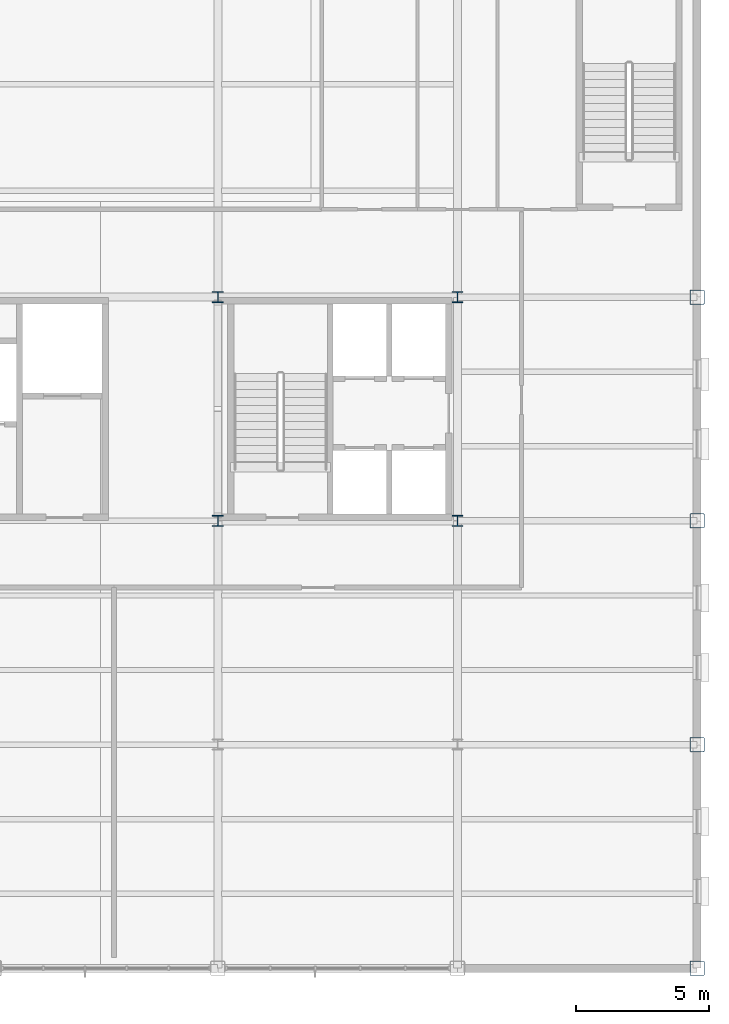
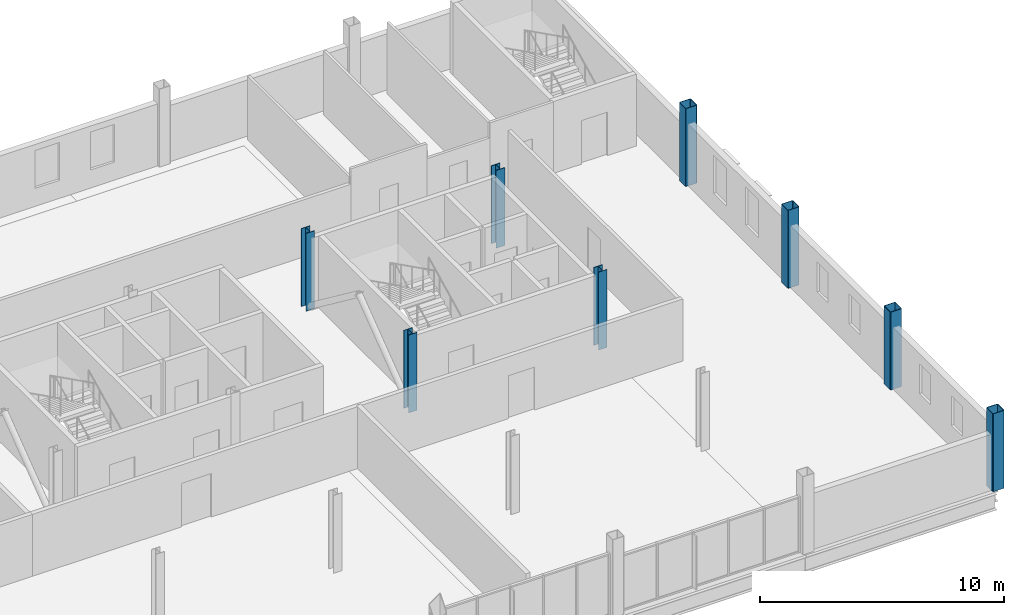
# One storey, part 2 of 17: 8 columns.
"""IFC4 building model written with IfcOpenShell, lengths in metres."""

from ifc_helpers import new_model, si_unit, direction, frame, origin, origin_2d, place, context, subcontext, project, spatial, hollow_rectangle, i_section, extrude, material, material_profile, profile_set, type_object, element, save


model = new_model("IFC4")

# Units and contexts
model_context = context("Model", 3, precision=1e-05, world=origin(), true_north=direction((0.0, 1.0)))
body_context = subcontext(model_context, "Body", "Model", "MODEL_VIEW")
ifc_project = project(units=[si_unit("LENGTHUNIT", "METRE"), si_unit("AREAUNIT", "SQUARE_METRE"), si_unit("VOLUMEUNIT", "CUBIC_METRE"), si_unit("PLANEANGLEUNIT", "RADIAN"), si_unit("MASSUNIT", "GRAM", prefix="KILO")], contexts=[model_context])

# Site, building, storey
site_placement = place(None, origin())
site = spatial("IfcSite", under=ifc_project, at=site_placement, CompositionType="ELEMENT")
building_placement = place(site_placement, origin())
building = spatial("IfcBuilding", under=site, at=building_placement, Name="Yukiwa Park Conservatory and Herbarium", CompositionType="ELEMENT")
storey_placement = place(building_placement, frame((0.0, 0.0, 17.10009765625)))
storey = spatial("IfcBuildingStorey", under=building, at=storey_placement, Name="L04", CompositionType="ELEMENT", Elevation=17.10009765625)

# Columns
ifc_material_1 = material(Name="Steel Q355D", Category="steel")
ifc_material_profile_1 = material_profile(ifc_material_1, hollow_rectangle(XDim=0.550048828125, YDim=0.550048828125, WallThickness=0.02197265625, InnerFilletRadius=0.02197265625, OuterFilletRadius=0.0439453125, at=origin_2d()), Name="BOX 550x550x22")
ifc_profile_set_1 = profile_set([ifc_material_profile_1], Name="Steel Q355D")
column_type_1 = type_object("IfcColumnType", Name="COL-TW-BOX550-EXT", PredefinedType="COLUMN", material=ifc_profile_set_1)
for number, where, z_axis, x_axis, name in (
    (1, (168.0, 78.0, 0.0), (0.0, 0.0, 1.0), (1.0, 0.0, 0.0), "L04 column V5-X1680-Y780"),
    (2, (168.0, 86.39990234375, 0.0), (0.0, 0.0, 1.0), (1.0, 0.0, 0.0), "L04 column V5-X1680-Y864"),
    (3, (168.0, 94.800048828125, 0.0), (0.0, 0.0, 1.0), (1.0, 0.0, 0.0), "L04 column V5-X1680-Y948"),
    (4, (168.0, 103.199951171875, 0.0), (0.0, 0.0, 1.0), (1.0, 0.0, 0.0), "L04 column V5-X1680-Y1032"),
):
    element("IfcColumn", number, at=place(storey_placement, frame(where, z_axis=z_axis, x_axis=x_axis)), inside=storey, type_object=column_type_1, Name=name, PredefinedType="COLUMN", context=body_context, shape_type="SweptSolid", body=[
        extrude(hollow_rectangle(XDim=0.550048828125, YDim=0.550048828125, WallThickness=0.02197265625, InnerFilletRadius=0.02197265625, OuterFilletRadius=0.0439453125, at=origin_2d()), origin(), (0.0, 0.0, 1.0), 3.89990234375),
    ])
ifc_material_2 = material(Name="Steel Q355D", Category="steel")
ifc_material_profile_2 = material_profile(ifc_material_2, i_section(OverallWidth=0.405029296875, OverallDepth=0.4140625, WebThickness=0.01806640625, FlangeThickness=0.028076171875, FilletRadius=0.02197265625, at=origin_2d()), Name="HW 414x405x18x28")
ifc_profile_set_2 = profile_set([ifc_material_profile_2], Name="Steel Q355D")
column_type_2 = type_object("IfcColumnType", Name="COL-TW-HW414", PredefinedType="COLUMN", material=ifc_profile_set_2)
for number, where, z_axis, x_axis, name in (
    (5, (150.0, 94.800048828125, 0.0), (0.0, 0.0, 1.0), (1.0, 0.0, 0.0), "L04 column V5-X1500-Y948"),
    (6, (150.0, 103.199951171875, 0.0), (0.0, 0.0, 1.0), (1.0, 0.0, 0.0), "L04 column V5-X1500-Y1032"),
    (7, (159.0, 94.800048828125, 0.0), (0.0, 0.0, 1.0), (1.0, 0.0, 0.0), "L04 column V5-X1590-Y948"),
    (8, (159.0, 103.199951171875, 0.0), (0.0, 0.0, 1.0), (1.0, 0.0, 0.0), "L04 column V5-X1590-Y1032"),
):
    element("IfcColumn", number, at=place(storey_placement, frame(where, z_axis=z_axis, x_axis=x_axis)), inside=storey, type_object=column_type_2, Name=name, PredefinedType="COLUMN", context=body_context, shape_type="SweptSolid", body=[
        extrude(i_section(OverallWidth=0.405029296875, OverallDepth=0.4140625, WebThickness=0.01806640625, FlangeThickness=0.028076171875, FilletRadius=0.02197265625, at=origin_2d()), origin(), (0.0, 0.0, 1.0), 3.89990234375),
    ])

save(model, "model.ifc")
